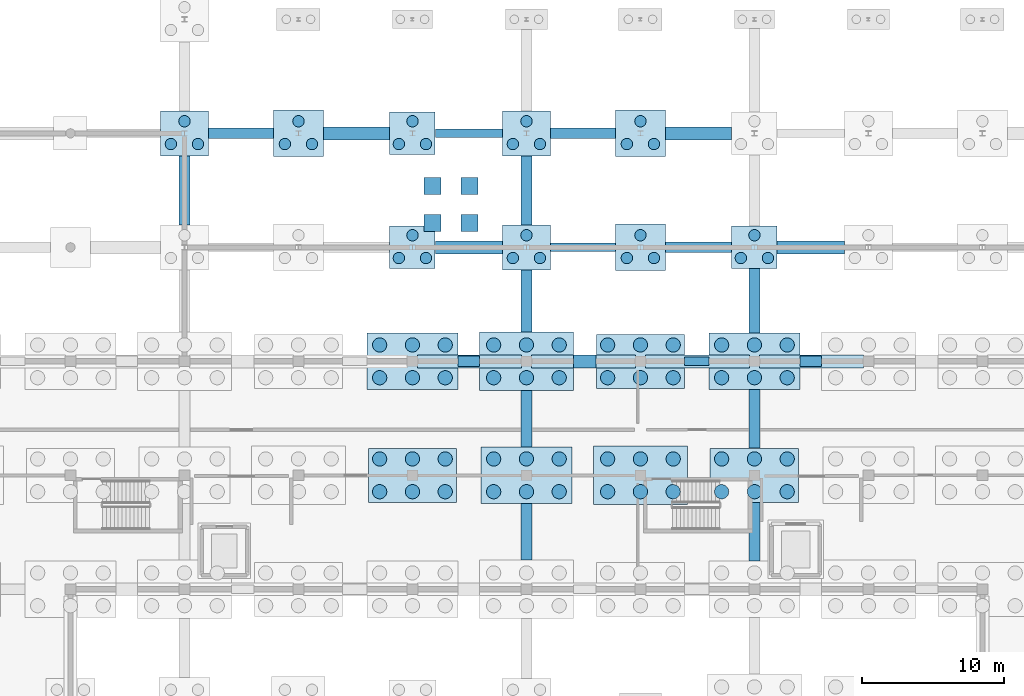
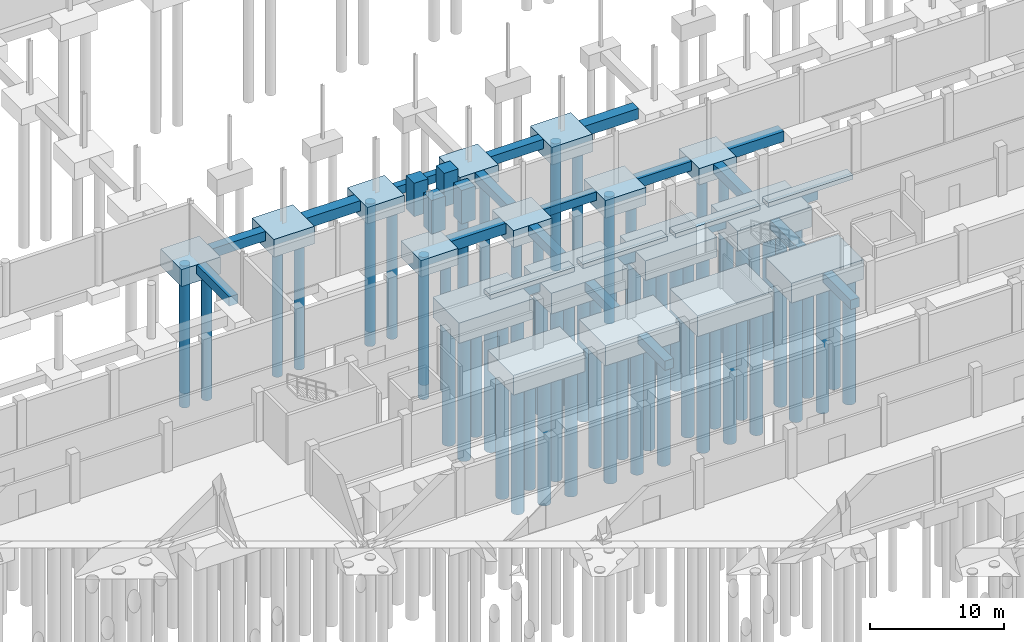
# One storey, part 9 of 51: 75 piles, 46 footings.
"""IFC4 building model written with IfcOpenShell, lengths in metres."""

from ifc_helpers import new_model, si_unit, direction, frame, origin, origin_2d, place, context, subcontext, project, spatial, rectangle, circle, extrude, material, material_profile, profile_set, type_object, element, save


model = new_model("IFC4")

# Units and contexts
model_context = context("Model", 3, precision=1e-05, world=origin(), true_north=direction((0.0, 1.0)))
body_context = subcontext(model_context, "Body", "Model", "MODEL_VIEW")
ifc_project = project(units=[si_unit("LENGTHUNIT", "METRE"), si_unit("AREAUNIT", "SQUARE_METRE"), si_unit("VOLUMEUNIT", "CUBIC_METRE"), si_unit("PLANEANGLEUNIT", "RADIAN"), si_unit("MASSUNIT", "GRAM", prefix="KILO")], contexts=[model_context])

# Site, building, storey
site_placement = place(None, origin())
site = spatial("IfcSite", under=ifc_project, at=site_placement, CompositionType="ELEMENT")
building_placement = place(site_placement, origin())
building = spatial("IfcBuilding", under=site, at=building_placement, Name="Jelvoka-Kovrelna Polytechnic", CompositionType="ELEMENT")
storey_placement = place(building_placement, frame((0.0, 0.0, -4.5)))
storey = spatial("IfcBuildingStorey", under=building, at=storey_placement, Name="B01", CompositionType="ELEMENT", Elevation=-4.5)

# Footings
ifc_material_1 = material(Name="Concrete C35/45", Category="concrete")
footing_type_1 = type_object("IfcFootingType", Name="Footing_Pad_PF1", PredefinedType="PAD_FOOTING", material=ifc_material_1)
for number, where, z_axis, x_axis, name in (
    (1, (105.39990234375, 81.699951171875, -0.40478515625), (0.0, 0.0, 1.0), (1.0, 0.0, 0.0), "Lift pit support pier 09"),
    (2, (108.0, 81.699951171875, -0.40478515625), (0.0, 0.0, 1.0), (1.0, 0.0, 0.0), "Lift pit support pier 10"),
    (3, (105.39990234375, 84.300048828125, -0.40478515625), (0.0, 0.0, 1.0), (1.0, 0.0, 0.0), "Lift pit support pier 11"),
    (4, (108.0, 84.300048828125, -0.40478515625), (0.0, 0.0, 1.0), (1.0, 0.0, 0.0), "Lift pit support pier 12"),
):
    element("IfcFooting", number, at=place(storey_placement, frame(where, z_axis=z_axis, x_axis=x_axis)), inside=storey, type_object=footing_type_1, Name=name, PredefinedType="PAD_FOOTING", context=body_context, shape_type="SweptSolid", body=[
        extrude(rectangle(XDim=1.199951171875, YDim=1.199951171875, at=origin_2d()), origin(), (0.0, 0.0, 1.0), 3.054931640625),
    ])
ifc_material_2 = material(Name="Concrete C35/45", Category="concrete")
footing_type_2 = type_object("IfcFootingType", Name="Footing_PileCap_PC3A", PredefinedType="PILE_CAP", material=ifc_material_2)
for number, where, z_axis, x_axis, name in (
    (5, (104.0, 80.0, -1.905029296875), (0.0, 0.0, 1.0), (1.0, 0.0, 0.0), "Bored pile cap 222 (PC-3)"),
    (6, (128.0, 80.0, -1.905029296875), (0.0, 0.0, 1.0), (1.0, 0.0, 0.0), "Bored pile cap 225 (PC-3)"),
    (7, (104.0, 88.0, -1.905029296875), (0.0, 0.0, 1.0), (1.0, 0.0, 0.0), "Bored pile cap 237 (PC-3)"),
):
    element("IfcFooting", number, at=place(storey_placement, frame(where, z_axis=z_axis, x_axis=x_axis)), inside=storey, type_object=footing_type_2, Name=name, PredefinedType="PILE_CAP", context=body_context, shape_type="SweptSolid", body=[
        extrude(rectangle(XDim=3.199951171875, YDim=3.0, at=origin_2d()), origin(), (0.0, 0.0, 1.0), 1.5),
    ])
ifc_material_3 = material(Name="Concrete C35/45", Category="concrete")
footing_type_3 = type_object("IfcFootingType", Name="Footing_PileCap_PC3B", PredefinedType="PILE_CAP", material=ifc_material_3)
for number, where, z_axis, x_axis, name in (
    (8, (112.0, 80.0, -1.955078125), (0.0, 0.0, 1.0), (1.0, 0.0, 0.0), "Bored pile cap 223 (PC-3)"),
    (9, (88.0, 88.0, -1.955078125), (0.0, 0.0, 1.0), (1.0, 0.0, 0.0), "Bored pile cap 235 (PC-3)"),
    (10, (112.0, 88.0, -1.955078125), (0.0, 0.0, 1.0), (1.0, 0.0, 0.0), "Bored pile cap 238 (PC-3)"),
):
    element("IfcFooting", number, at=place(storey_placement, frame(where, z_axis=z_axis, x_axis=x_axis)), inside=storey, type_object=footing_type_3, Name=name, PredefinedType="PILE_CAP", context=body_context, shape_type="SweptSolid", body=[
        extrude(rectangle(XDim=3.35009765625, YDim=3.14990234375, at=origin_2d()), origin(), (0.0, 0.0, 1.0), 1.550048828125),
    ])
ifc_material_4 = material(Name="Concrete C35/45", Category="concrete")
footing_type_4 = type_object("IfcFootingType", Name="Footing_PileCap_PC3C", PredefinedType="PILE_CAP", material=ifc_material_4)
for number, where, z_axis, x_axis, name in (
    (11, (120.0, 80.0, -2.005126953125), (0.0, 0.0, 1.0), (1.0, 0.0, 0.0), "Bored pile cap 224 (PC-3)"),
    (12, (96.0, 88.0, -2.005126953125), (0.0, 0.0, 1.0), (1.0, 0.0, 0.0), "Bored pile cap 236 (PC-3)"),
    (13, (120.0, 88.0, -2.005126953125), (0.0, 0.0, 1.0), (1.0, 0.0, 0.0), "Bored pile cap 239 (PC-3)"),
):
    element("IfcFooting", number, at=place(storey_placement, frame(where, z_axis=z_axis, x_axis=x_axis)), inside=storey, type_object=footing_type_4, Name=name, PredefinedType="PILE_CAP", context=body_context, shape_type="SweptSolid", body=[
        extrude(rectangle(XDim=3.5, YDim=3.25, at=origin_2d()), origin(), (0.0, 0.0, 1.0), 1.60009765625),
    ])
ifc_material_5 = material(Name="Concrete C35/45", Category="concrete")
footing_type_5 = type_object("IfcFootingType", Name="Footing_PileCap_PC6A", PredefinedType="PILE_CAP", material=ifc_material_5)
for number, where, z_axis, x_axis, name in (
    (14, (104.0, 64.0, -2.205078125), (0.0, 0.0, 1.0), (1.0, 0.0, 0.0), "Bored pile cap 189 (PC-6)"),
    (15, (128.0, 64.0, -2.205078125), (0.0, 0.0, 1.0), (1.0, 0.0, 0.0), "Bored pile cap 192 (PC-6)"),
    (16, (120.0, 72.0, -2.205078125), (0.0, 0.0, 1.0), (1.0, 0.0, 0.0), "Bored pile cap 210 (PC-6)"),
):
    element("IfcFooting", number, at=place(storey_placement, frame(where, z_axis=z_axis, x_axis=x_axis)), inside=storey, type_object=footing_type_5, Name=name, PredefinedType="PILE_CAP", context=body_context, shape_type="SweptSolid", body=[
        extrude(rectangle(XDim=6.199951171875, YDim=3.800048828125, at=origin_2d()), origin(), (0.0, 0.0, 1.0), 1.800048828125),
    ])
ifc_material_6 = material(Name="Concrete C35/45", Category="concrete")
footing_type_6 = type_object("IfcFootingType", Name="Footing_PileCap_PC6B", PredefinedType="PILE_CAP", material=ifc_material_6)
for number, where, z_axis, x_axis, name in (
    (17, (112.0, 64.0, -2.255126953125), (0.0, 0.0, 1.0), (1.0, 0.0, 0.0), "Bored pile cap 190 (PC-6)"),
    (18, (104.0, 72.0, -2.255126953125), (0.0, 0.0, 1.0), (1.0, 0.0, 0.0), "Bored pile cap 208 (PC-6)"),
    (19, (128.0, 72.0, -2.255126953125), (0.0, 0.0, 1.0), (1.0, 0.0, 0.0), "Bored pile cap 211 (PC-6)"),
):
    element("IfcFooting", number, at=place(storey_placement, frame(where, z_axis=z_axis, x_axis=x_axis)), inside=storey, type_object=footing_type_6, Name=name, PredefinedType="PILE_CAP", context=body_context, shape_type="SweptSolid", body=[
        extrude(rectangle(XDim=6.39990234375, YDim=3.949951171875, at=origin_2d()), origin(), (0.0, 0.0, 1.0), 1.85009765625),
    ])
ifc_material_7 = material(Name="Concrete C35/45", Category="concrete")
footing_type_7 = type_object("IfcFootingType", Name="Footing_PileCap_PC6C", PredefinedType="PILE_CAP", material=ifc_material_7)
for number, where, z_axis, x_axis, name in (
    (20, (120.0, 64.0, -2.304931640625), (0.0, 0.0, 1.0), (1.0, 0.0, 0.0), "Bored pile cap 191 (PC-6)"),
    (21, (112.0, 72.0, -2.304931640625), (0.0, 0.0, 1.0), (1.0, 0.0, 0.0), "Bored pile cap 209 (PC-6)"),
):
    element("IfcFooting", number, at=place(storey_placement, frame(where, z_axis=z_axis, x_axis=x_axis)), inside=storey, type_object=footing_type_7, Name=name, PredefinedType="PILE_CAP", context=body_context, shape_type="SweptSolid", body=[
        extrude(rectangle(XDim=6.60009765625, YDim=4.10009765625, at=origin_2d()), origin(), (0.0, 0.0, 1.0), 1.89990234375),
    ])
ifc_material_8 = material(Name="Concrete C35/45", Category="concrete")
footing_type_8 = type_object("IfcFootingType", Name="Footing_Strip_SF1", PredefinedType="STRIP_FOOTING", material=ifc_material_8)
footing_1_placement = place(storey_placement, frame((107.96240234375, 88.0, -1.155029296875), z_axis=(0.0, 0.0, 1.0), x_axis=(1.0, 0.0, 0.0)))
element("IfcFooting", 22, at=footing_1_placement, inside=storey, type_object=footing_type_8, Name="Strip foundation tie beam 120", PredefinedType="STRIP_FOOTING", context=body_context, shape_type="SweptSolid", body=[
    extrude(rectangle(XDim=4.720947265625, YDim=0.60009765625, at=origin_2d()), origin(), (0.0, 0.0, 1.0), 0.75),
])
footing_2_placement = place(storey_placement, frame((115.96240234375, 80.0, -1.155029296875), z_axis=(0.0, 0.0, 1.0), x_axis=(1.0, 0.0, 0.0)))
element("IfcFooting", 23, at=footing_2_placement, inside=storey, type_object=footing_type_8, Name="Strip foundation tie beam 138", PredefinedType="STRIP_FOOTING", context=body_context, shape_type="SweptSolid", body=[
    extrude(rectangle(XDim=4.571044921875, YDim=0.60009765625, at=origin_2d()), origin(), (0.0, 0.0, 1.0), 0.75),
])
footing_3_placement = place(storey_placement, frame((123.949951171875, 72.0, -1.155029296875), z_axis=(0.0, 0.0, 1.0), x_axis=(1.0, 0.0, 0.0)))
element("IfcFooting", 24, at=footing_3_placement, inside=storey, type_object=footing_type_8, Name="Strip foundation tie beam 148", PredefinedType="STRIP_FOOTING", context=body_context, shape_type="SweptSolid", body=[
    extrude(rectangle(XDim=1.696044921875, YDim=0.60009765625, at=origin_2d()), origin(), (0.0, 0.0, 1.0), 0.75),
])
ifc_material_9 = material(Name="Concrete C35/45", Category="concrete")
footing_type_9 = type_object("IfcFootingType", Name="Footing_Strip_SF2", PredefinedType="STRIP_FOOTING", material=ifc_material_9)
footing_4_placement = place(storey_placement, frame((88.0, 84.0, -1.255126953125), z_axis=(0.0, 0.0, 1.0), x_axis=(0.0, 1.0, 0.0)))
element("IfcFooting", 25, at=footing_4_placement, inside=storey, type_object=footing_type_9, Name="Strip foundation tie beam 097", PredefinedType="STRIP_FOOTING", context=body_context, shape_type="SweptSolid", body=[
    extrude(rectangle(XDim=4.845947265625, YDim=0.75, at=origin_2d()), origin(), (0.0, 0.0, 1.0), 0.85009765625),
])
footing_5_placement = place(storey_placement, frame((91.96240234375, 88.0, -1.255126953125), z_axis=(0.0, 0.0, 1.0), x_axis=(1.0, 0.0, 0.0)))
element("IfcFooting", 26, at=footing_5_placement, inside=storey, type_object=footing_type_9, Name="Strip foundation tie beam 098", PredefinedType="STRIP_FOOTING", context=body_context, shape_type="SweptSolid", body=[
    extrude(rectangle(XDim=4.571044921875, YDim=0.75, at=origin_2d()), origin(), (0.0, 0.0, 1.0), 0.85009765625),
])
footing_6_placement = place(storey_placement, frame((107.949951171875, 72.0, -1.255126953125), z_axis=(0.0, 0.0, 1.0), x_axis=(1.0, 0.0, 0.0)))
element("IfcFooting", 27, at=footing_6_placement, inside=storey, type_object=footing_type_9, Name="Strip foundation tie beam 118", PredefinedType="STRIP_FOOTING", context=body_context, shape_type="SweptSolid", body=[
    extrude(rectangle(XDim=1.49609375, YDim=0.75, at=origin_2d()), origin(), (0.0, 0.0, 1.0), 0.85009765625),
])
for number, where, z_axis, x_axis, name in (
    (28, (112.0, 60.03759765625, -1.255126953125), (0.0, 0.0, 1.0), (0.0, 1.0, 0.0), "Strip foundation tie beam 134"),
    (29, (112.0, 67.96240234375, -1.255126953125), (0.0, 0.0, 1.0), (0.0, 1.0, 0.0), "Strip foundation tie beam 135"),
):
    element("IfcFooting", number, at=place(storey_placement, frame(where, z_axis=z_axis, x_axis=x_axis)), inside=storey, type_object=footing_type_9, Name=name, PredefinedType="STRIP_FOOTING", context=body_context, shape_type="SweptSolid", body=[
        extrude(rectangle(XDim=3.970947265625, YDim=0.75, at=origin_2d()), origin(), (0.0, 0.0, 1.0), 0.85009765625),
    ])
footing_7_placement = place(storey_placement, frame((112.0, 76.237548828125, -1.255126953125), z_axis=(0.0, 0.0, 1.0), x_axis=(0.0, 1.0, 0.0)))
element("IfcFooting", 30, at=footing_7_placement, inside=storey, type_object=footing_type_9, Name="Strip foundation tie beam 137", PredefinedType="STRIP_FOOTING", context=body_context, shape_type="SweptSolid", body=[
    extrude(rectangle(XDim=4.37109375, YDim=0.75, at=origin_2d()), origin(), (0.0, 0.0, 1.0), 0.85009765625),
])
footing_8_placement = place(storey_placement, frame((112.0, 84.0, -1.255126953125), z_axis=(0.0, 0.0, 1.0), x_axis=(0.0, 1.0, 0.0)))
element("IfcFooting", 31, at=footing_8_placement, inside=storey, type_object=footing_type_9, Name="Strip foundation tie beam 139", PredefinedType="STRIP_FOOTING", context=body_context, shape_type="SweptSolid", body=[
    extrude(rectangle(XDim=4.845947265625, YDim=0.75, at=origin_2d()), origin(), (0.0, 0.0, 1.0), 0.85009765625),
])
footing_9_placement = place(storey_placement, frame((115.96240234375, 88.0, -1.255126953125), z_axis=(0.0, 0.0, 1.0), x_axis=(1.0, 0.0, 0.0)))
element("IfcFooting", 32, at=footing_9_placement, inside=storey, type_object=footing_type_9, Name="Strip foundation tie beam 140", PredefinedType="STRIP_FOOTING", context=body_context, shape_type="SweptSolid", body=[
    extrude(rectangle(XDim=4.571044921875, YDim=0.75, at=origin_2d()), origin(), (0.0, 0.0, 1.0), 0.85009765625),
])
footing_10_placement = place(storey_placement, frame((124.074951171875, 80.0, -1.255126953125), z_axis=(0.0, 0.0, 1.0), x_axis=(1.0, 0.0, 0.0)))
element("IfcFooting", 33, at=footing_10_placement, inside=storey, type_object=footing_type_9, Name="Strip foundation tie beam 149", PredefinedType="STRIP_FOOTING", context=body_context, shape_type="SweptSolid", body=[
    extrude(rectangle(XDim=4.64599609375, YDim=0.75, at=origin_2d()), origin(), (0.0, 0.0, 1.0), 0.85009765625),
])
for number, where, z_axis, x_axis, name in (
    (34, (128.0, 60.03759765625, -1.255126953125), (0.0, 0.0, 1.0), (0.0, 1.0, 0.0), "Strip foundation tie beam 164"),
    (35, (128.0, 67.96240234375, -1.255126953125), (0.0, 0.0, 1.0), (0.0, 1.0, 0.0), "Strip foundation tie beam 165"),
):
    element("IfcFooting", number, at=place(storey_placement, frame(where, z_axis=z_axis, x_axis=x_axis)), inside=storey, type_object=footing_type_9, Name=name, PredefinedType="STRIP_FOOTING", context=body_context, shape_type="SweptSolid", body=[
        extrude(rectangle(XDim=4.12109375, YDim=0.75, at=origin_2d()), origin(), (0.0, 0.0, 1.0), 0.85009765625),
    ])
footing_11_placement = place(storey_placement, frame((131.949951171875, 72.0, -1.255126953125), z_axis=(0.0, 0.0, 1.0), x_axis=(1.0, 0.0, 0.0)))
element("IfcFooting", 36, at=footing_11_placement, inside=storey, type_object=footing_type_9, Name="Strip foundation tie beam 166", PredefinedType="STRIP_FOOTING", context=body_context, shape_type="SweptSolid", body=[
    extrude(rectangle(XDim=1.49609375, YDim=0.75, at=origin_2d()), origin(), (0.0, 0.0, 1.0), 0.85009765625),
])
footing_12_placement = place(storey_placement, frame((128.0, 76.237548828125, -1.255126953125), z_axis=(0.0, 0.0, 1.0), x_axis=(0.0, 1.0, 0.0)))
element("IfcFooting", 37, at=footing_12_placement, inside=storey, type_object=footing_type_9, Name="Strip foundation tie beam 167", PredefinedType="STRIP_FOOTING", context=body_context, shape_type="SweptSolid", body=[
    extrude(rectangle(XDim=4.52099609375, YDim=0.75, at=origin_2d()), origin(), (0.0, 0.0, 1.0), 0.85009765625),
])
ifc_material_10 = material(Name="Concrete C35/45", Category="concrete")
footing_type_10 = type_object("IfcFootingType", Name="Footing_Strip_SF3", PredefinedType="STRIP_FOOTING", material=ifc_material_10)
footing_13_placement = place(storey_placement, frame((100.074951171875, 88.0, -1.35498046875), z_axis=(0.0, 0.0, 1.0), x_axis=(1.0, 0.0, 0.0)))
element("IfcFooting", 38, at=footing_13_placement, inside=storey, type_object=footing_type_10, Name="Strip foundation tie beam 111", PredefinedType="STRIP_FOOTING", context=body_context, shape_type="SweptSolid", body=[
    extrude(rectangle(XDim=4.64599609375, YDim=0.89990234375, at=origin_2d()), origin(), (0.0, 0.0, 1.0), 0.949951171875),
])
footing_14_placement = place(storey_placement, frame((107.96240234375, 80.0, -1.35498046875), z_axis=(0.0, 0.0, 1.0), x_axis=(1.0, 0.0, 0.0)))
element("IfcFooting", 39, at=footing_14_placement, inside=storey, type_object=footing_type_10, Name="Strip foundation tie beam 119", PredefinedType="STRIP_FOOTING", context=body_context, shape_type="SweptSolid", body=[
    extrude(rectangle(XDim=4.720947265625, YDim=0.89990234375, at=origin_2d()), origin(), (0.0, 0.0, 1.0), 0.949951171875),
])
footing_15_placement = place(storey_placement, frame((116.10009765625, 72.0, -1.35498046875), z_axis=(0.0, 0.0, 1.0), x_axis=(1.0, 0.0, 0.0)))
element("IfcFooting", 40, at=footing_15_placement, inside=storey, type_object=footing_type_10, Name="Strip foundation tie beam 136", PredefinedType="STRIP_FOOTING", context=body_context, shape_type="SweptSolid", body=[
    extrude(rectangle(XDim=1.595947265625, YDim=0.89990234375, at=origin_2d()), origin(), (0.0, 0.0, 1.0), 0.949951171875),
])
footing_16_placement = place(storey_placement, frame((124.074951171875, 88.0, -1.35498046875), z_axis=(0.0, 0.0, 1.0), x_axis=(1.0, 0.0, 0.0)))
element("IfcFooting", 41, at=footing_16_placement, inside=storey, type_object=footing_type_10, Name="Strip foundation tie beam 150", PredefinedType="STRIP_FOOTING", context=body_context, shape_type="SweptSolid", body=[
    extrude(rectangle(XDim=4.64599609375, YDim=0.89990234375, at=origin_2d()), origin(), (0.0, 0.0, 1.0), 0.949951171875),
])
footing_17_placement = place(storey_placement, frame((131.96240234375, 80.0, -1.35498046875), z_axis=(0.0, 0.0, 1.0), x_axis=(1.0, 0.0, 0.0)))
element("IfcFooting", 42, at=footing_17_placement, inside=storey, type_object=footing_type_10, Name="Strip foundation tie beam 168", PredefinedType="STRIP_FOOTING", context=body_context, shape_type="SweptSolid", body=[
    extrude(rectangle(XDim=4.720947265625, YDim=0.89990234375, at=origin_2d()), origin(), (0.0, 0.0, 1.0), 0.949951171875),
])
for number, where, z_axis, x_axis, name in (
    (43, (108.0, 72.0, -0.40478515625), (0.0, 0.0, 1.0), (1.0, 0.0, 0.0), "Strip foundation plinth beam B01W-083"),
    (44, (116.0, 72.0, -0.40478515625), (0.0, 0.0, 1.0), (1.0, 0.0, 0.0), "Strip foundation plinth beam B01W-085"),
    (45, (124.0, 72.0, -0.40478515625), (0.0, 0.0, 1.0), (1.0, 0.0, 0.0), "Strip foundation plinth beam B01W-087"),
    (46, (132.0, 72.0, -0.40478515625), (0.0, 0.0, 1.0), (1.0, 0.0, 0.0), "Strip foundation plinth beam B01W-089"),
):
    element("IfcFooting", number, at=place(storey_placement, frame(where, z_axis=z_axis, x_axis=x_axis)), inside=storey, type_object=footing_type_10, Name=name, PredefinedType="STRIP_FOOTING", context=body_context, shape_type="SweptSolid", body=[
        extrude(rectangle(XDim=7.300048828125, YDim=0.89990234375, at=origin_2d()), origin(), (0.0, 0.0, 1.0), 0.405029296875),
    ])

# Piles
ifc_material_11 = material(Name="Concrete C35/45", Category="concrete")
ifc_material_profile_1 = material_profile(ifc_material_11, circle(Radius=0.5, at=origin_2d()), Name="PILE D1000")
ifc_profile_set_1 = profile_set([ifc_material_profile_1], Name="Concrete C35/45")
pile_type_1 = type_object("IfcPileType", Name="Pile_Bored_1000", PredefinedType="BORED", material=ifc_profile_set_1)
for number, where, z_axis, x_axis, name in (
    (47, (101.699951171875, 62.85009765625, -2.10498046875), (0.0, 0.0, -1.0), (1.0, 0.0, 0.0), "Bored concrete pile 189-1"),
    (48, (104.0, 62.85009765625, -2.10498046875), (0.0, 0.0, -1.0), (1.0, 0.0, 0.0), "Bored concrete pile 189-2"),
    (49, (106.300048828125, 62.85009765625, -2.10498046875), (0.0, 0.0, -1.0), (1.0, 0.0, 0.0), "Bored concrete pile 189-3"),
    (50, (101.699951171875, 65.14990234375, -2.10498046875), (0.0, 0.0, -1.0), (1.0, 0.0, 0.0), "Bored concrete pile 189-4"),
    (51, (104.0, 65.14990234375, -2.10498046875), (0.0, 0.0, -1.0), (1.0, 0.0, 0.0), "Bored concrete pile 189-5"),
    (52, (106.300048828125, 65.14990234375, -2.10498046875), (0.0, 0.0, -1.0), (1.0, 0.0, 0.0), "Bored concrete pile 189-6"),
):
    element("IfcPile", number, at=place(storey_placement, frame(where, z_axis=z_axis, x_axis=x_axis)), inside=storey, type_object=pile_type_1, Name=name, PredefinedType="BORED", context=body_context, shape_type="SweptSolid", body=[
        extrude(circle(Radius=0.5, at=origin_2d()), origin(), (0.0, 0.0, 1.0), 11.39501953125),
    ])
for number, where, z_axis, x_axis, name in (
    (53, (109.699951171875, 62.85009765625, -2.155029296875), (0.0, 0.0, -1.0), (1.0, 0.0, 0.0), "Bored concrete pile 190-1"),
    (54, (112.0, 62.85009765625, -2.155029296875), (0.0, 0.0, -1.0), (1.0, 0.0, 0.0), "Bored concrete pile 190-2"),
    (55, (114.300048828125, 62.85009765625, -2.155029296875), (0.0, 0.0, -1.0), (1.0, 0.0, 0.0), "Bored concrete pile 190-3"),
    (56, (109.699951171875, 65.14990234375, -2.155029296875), (0.0, 0.0, -1.0), (1.0, 0.0, 0.0), "Bored concrete pile 190-4"),
    (57, (112.0, 65.14990234375, -2.155029296875), (0.0, 0.0, -1.0), (1.0, 0.0, 0.0), "Bored concrete pile 190-5"),
    (58, (114.300048828125, 65.14990234375, -2.155029296875), (0.0, 0.0, -1.0), (1.0, 0.0, 0.0), "Bored concrete pile 190-6"),
):
    element("IfcPile", number, at=place(storey_placement, frame(where, z_axis=z_axis, x_axis=x_axis)), inside=storey, type_object=pile_type_1, Name=name, PredefinedType="BORED", context=body_context, shape_type="SweptSolid", body=[
        extrude(circle(Radius=0.5, at=origin_2d()), origin(), (0.0, 0.0, 1.0), 11.344970703125),
    ])
for number, where, z_axis, x_axis, name in (
    (59, (117.699951171875, 62.85009765625, -2.205078125), (0.0, 0.0, -1.0), (1.0, 0.0, 0.0), "Bored concrete pile 191-1"),
    (60, (120.0, 62.85009765625, -2.205078125), (0.0, 0.0, -1.0), (1.0, 0.0, 0.0), "Bored concrete pile 191-2"),
    (61, (122.300048828125, 62.85009765625, -2.205078125), (0.0, 0.0, -1.0), (1.0, 0.0, 0.0), "Bored concrete pile 191-3"),
    (62, (117.699951171875, 65.14990234375, -2.205078125), (0.0, 0.0, -1.0), (1.0, 0.0, 0.0), "Bored concrete pile 191-4"),
    (63, (120.0, 65.14990234375, -2.205078125), (0.0, 0.0, -1.0), (1.0, 0.0, 0.0), "Bored concrete pile 191-5"),
    (64, (122.300048828125, 65.14990234375, -2.205078125), (0.0, 0.0, -1.0), (1.0, 0.0, 0.0), "Bored concrete pile 191-6"),
):
    element("IfcPile", number, at=place(storey_placement, frame(where, z_axis=z_axis, x_axis=x_axis)), inside=storey, type_object=pile_type_1, Name=name, PredefinedType="BORED", context=body_context, shape_type="SweptSolid", body=[
        extrude(circle(Radius=0.5, at=origin_2d()), origin(), (0.0, 0.0, 1.0), 11.294921875),
    ])
for number, where, z_axis, x_axis, name in (
    (65, (125.699951171875, 62.85009765625, -2.10498046875), (0.0, 0.0, -1.0), (1.0, 0.0, 0.0), "Bored concrete pile 192-1"),
    (66, (128.0, 62.85009765625, -2.10498046875), (0.0, 0.0, -1.0), (1.0, 0.0, 0.0), "Bored concrete pile 192-2"),
    (67, (130.300048828125, 62.85009765625, -2.10498046875), (0.0, 0.0, -1.0), (1.0, 0.0, 0.0), "Bored concrete pile 192-3"),
    (68, (125.699951171875, 65.14990234375, -2.10498046875), (0.0, 0.0, -1.0), (1.0, 0.0, 0.0), "Bored concrete pile 192-4"),
    (69, (128.0, 65.14990234375, -2.10498046875), (0.0, 0.0, -1.0), (1.0, 0.0, 0.0), "Bored concrete pile 192-5"),
    (70, (130.300048828125, 65.14990234375, -2.10498046875), (0.0, 0.0, -1.0), (1.0, 0.0, 0.0), "Bored concrete pile 192-6"),
):
    element("IfcPile", number, at=place(storey_placement, frame(where, z_axis=z_axis, x_axis=x_axis)), inside=storey, type_object=pile_type_1, Name=name, PredefinedType="BORED", context=body_context, shape_type="SweptSolid", body=[
        extrude(circle(Radius=0.5, at=origin_2d()), origin(), (0.0, 0.0, 1.0), 11.39501953125),
    ])
for number, where, z_axis, x_axis, name in (
    (71, (101.699951171875, 70.85009765625, -2.155029296875), (0.0, 0.0, -1.0), (1.0, 0.0, 0.0), "Bored concrete pile 208-1"),
    (72, (104.0, 70.85009765625, -2.155029296875), (0.0, 0.0, -1.0), (1.0, 0.0, 0.0), "Bored concrete pile 208-2"),
    (73, (106.300048828125, 70.85009765625, -2.155029296875), (0.0, 0.0, -1.0), (1.0, 0.0, 0.0), "Bored concrete pile 208-3"),
    (74, (101.699951171875, 73.14990234375, -2.155029296875), (0.0, 0.0, -1.0), (1.0, 0.0, 0.0), "Bored concrete pile 208-4"),
    (75, (104.0, 73.14990234375, -2.155029296875), (0.0, 0.0, -1.0), (1.0, 0.0, 0.0), "Bored concrete pile 208-5"),
    (76, (106.300048828125, 73.14990234375, -2.155029296875), (0.0, 0.0, -1.0), (1.0, 0.0, 0.0), "Bored concrete pile 208-6"),
):
    element("IfcPile", number, at=place(storey_placement, frame(where, z_axis=z_axis, x_axis=x_axis)), inside=storey, type_object=pile_type_1, Name=name, PredefinedType="BORED", context=body_context, shape_type="SweptSolid", body=[
        extrude(circle(Radius=0.5, at=origin_2d()), origin(), (0.0, 0.0, 1.0), 11.344970703125),
    ])
for number, where, z_axis, x_axis, name in (
    (77, (109.699951171875, 70.85009765625, -2.205078125), (0.0, 0.0, -1.0), (1.0, 0.0, 0.0), "Bored concrete pile 209-1"),
    (78, (112.0, 70.85009765625, -2.205078125), (0.0, 0.0, -1.0), (1.0, 0.0, 0.0), "Bored concrete pile 209-2"),
    (79, (114.300048828125, 70.85009765625, -2.205078125), (0.0, 0.0, -1.0), (1.0, 0.0, 0.0), "Bored concrete pile 209-3"),
    (80, (109.699951171875, 73.14990234375, -2.205078125), (0.0, 0.0, -1.0), (1.0, 0.0, 0.0), "Bored concrete pile 209-4"),
    (81, (112.0, 73.14990234375, -2.205078125), (0.0, 0.0, -1.0), (1.0, 0.0, 0.0), "Bored concrete pile 209-5"),
    (82, (114.300048828125, 73.14990234375, -2.205078125), (0.0, 0.0, -1.0), (1.0, 0.0, 0.0), "Bored concrete pile 209-6"),
):
    element("IfcPile", number, at=place(storey_placement, frame(where, z_axis=z_axis, x_axis=x_axis)), inside=storey, type_object=pile_type_1, Name=name, PredefinedType="BORED", context=body_context, shape_type="SweptSolid", body=[
        extrude(circle(Radius=0.5, at=origin_2d()), origin(), (0.0, 0.0, 1.0), 11.294921875),
    ])
for number, where, z_axis, x_axis, name in (
    (83, (117.699951171875, 70.85009765625, -2.10498046875), (0.0, 0.0, -1.0), (1.0, 0.0, 0.0), "Bored concrete pile 210-1"),
    (84, (120.0, 70.85009765625, -2.10498046875), (0.0, 0.0, -1.0), (1.0, 0.0, 0.0), "Bored concrete pile 210-2"),
    (85, (122.300048828125, 70.85009765625, -2.10498046875), (0.0, 0.0, -1.0), (1.0, 0.0, 0.0), "Bored concrete pile 210-3"),
    (86, (117.699951171875, 73.14990234375, -2.10498046875), (0.0, 0.0, -1.0), (1.0, 0.0, 0.0), "Bored concrete pile 210-4"),
    (87, (120.0, 73.14990234375, -2.10498046875), (0.0, 0.0, -1.0), (1.0, 0.0, 0.0), "Bored concrete pile 210-5"),
    (88, (122.300048828125, 73.14990234375, -2.10498046875), (0.0, 0.0, -1.0), (1.0, 0.0, 0.0), "Bored concrete pile 210-6"),
):
    element("IfcPile", number, at=place(storey_placement, frame(where, z_axis=z_axis, x_axis=x_axis)), inside=storey, type_object=pile_type_1, Name=name, PredefinedType="BORED", context=body_context, shape_type="SweptSolid", body=[
        extrude(circle(Radius=0.5, at=origin_2d()), origin(), (0.0, 0.0, 1.0), 11.39501953125),
    ])
for number, where, z_axis, x_axis, name in (
    (89, (125.699951171875, 70.85009765625, -2.155029296875), (0.0, 0.0, -1.0), (1.0, 0.0, 0.0), "Bored concrete pile 211-1"),
    (90, (128.0, 70.85009765625, -2.155029296875), (0.0, 0.0, -1.0), (1.0, 0.0, 0.0), "Bored concrete pile 211-2"),
    (91, (130.300048828125, 70.85009765625, -2.155029296875), (0.0, 0.0, -1.0), (1.0, 0.0, 0.0), "Bored concrete pile 211-3"),
    (92, (125.699951171875, 73.14990234375, -2.155029296875), (0.0, 0.0, -1.0), (1.0, 0.0, 0.0), "Bored concrete pile 211-4"),
    (93, (128.0, 73.14990234375, -2.155029296875), (0.0, 0.0, -1.0), (1.0, 0.0, 0.0), "Bored concrete pile 211-5"),
    (94, (130.300048828125, 73.14990234375, -2.155029296875), (0.0, 0.0, -1.0), (1.0, 0.0, 0.0), "Bored concrete pile 211-6"),
):
    element("IfcPile", number, at=place(storey_placement, frame(where, z_axis=z_axis, x_axis=x_axis)), inside=storey, type_object=pile_type_1, Name=name, PredefinedType="BORED", context=body_context, shape_type="SweptSolid", body=[
        extrude(circle(Radius=0.5, at=origin_2d()), origin(), (0.0, 0.0, 1.0), 11.344970703125),
    ])
ifc_material_12 = material(Name="Concrete C35/45", Category="concrete")
ifc_material_profile_2 = material_profile(ifc_material_12, circle(Radius=0.39990234375, at=origin_2d()), Name="PILE D800")
ifc_profile_set_2 = profile_set([ifc_material_profile_2], Name="Concrete C35/45")
pile_type_2 = type_object("IfcPileType", Name="Pile_Bored_800", PredefinedType="BORED", material=ifc_profile_set_2)
for number, where, z_axis, x_axis, name in (
    (95, (103.050048828125, 79.25, -1.804931640625), (0.0, 0.0, -1.0), (1.0, 0.0, 0.0), "Bored concrete pile 222-1"),
    (96, (104.949951171875, 79.25, -1.804931640625), (0.0, 0.0, -1.0), (1.0, 0.0, 0.0), "Bored concrete pile 222-2"),
    (97, (104.0, 80.85009765625, -1.804931640625), (0.0, 0.0, -1.0), (1.0, 0.0, 0.0), "Bored concrete pile 222-3"),
):
    element("IfcPile", number, at=place(storey_placement, frame(where, z_axis=z_axis, x_axis=x_axis)), inside=storey, type_object=pile_type_2, Name=name, PredefinedType="BORED", context=body_context, shape_type="SweptSolid", body=[
        extrude(circle(Radius=0.39990234375, at=origin_2d()), origin(), (0.0, 0.0, 1.0), 11.695068359375),
    ])
for number, where, z_axis, x_axis, name in (
    (98, (111.050048828125, 79.25, -1.85498046875), (0.0, 0.0, -1.0), (1.0, 0.0, 0.0), "Bored concrete pile 223-1"),
    (99, (112.949951171875, 79.25, -1.85498046875), (0.0, 0.0, -1.0), (1.0, 0.0, 0.0), "Bored concrete pile 223-2"),
    (100, (112.0, 80.85009765625, -1.85498046875), (0.0, 0.0, -1.0), (1.0, 0.0, 0.0), "Bored concrete pile 223-3"),
):
    element("IfcPile", number, at=place(storey_placement, frame(where, z_axis=z_axis, x_axis=x_axis)), inside=storey, type_object=pile_type_2, Name=name, PredefinedType="BORED", context=body_context, shape_type="SweptSolid", body=[
        extrude(circle(Radius=0.39990234375, at=origin_2d()), origin(), (0.0, 0.0, 1.0), 11.64501953125),
    ])
for number, where, z_axis, x_axis, name in (
    (101, (119.050048828125, 79.25, -1.905029296875), (0.0, 0.0, -1.0), (1.0, 0.0, 0.0), "Bored concrete pile 224-1"),
    (102, (120.949951171875, 79.25, -1.905029296875), (0.0, 0.0, -1.0), (1.0, 0.0, 0.0), "Bored concrete pile 224-2"),
    (103, (120.0, 80.85009765625, -1.905029296875), (0.0, 0.0, -1.0), (1.0, 0.0, 0.0), "Bored concrete pile 224-3"),
):
    element("IfcPile", number, at=place(storey_placement, frame(where, z_axis=z_axis, x_axis=x_axis)), inside=storey, type_object=pile_type_2, Name=name, PredefinedType="BORED", context=body_context, shape_type="SweptSolid", body=[
        extrude(circle(Radius=0.39990234375, at=origin_2d()), origin(), (0.0, 0.0, 1.0), 11.594970703125),
    ])
for number, where, z_axis, x_axis, name in (
    (104, (127.050048828125, 79.25, -1.804931640625), (0.0, 0.0, -1.0), (1.0, 0.0, 0.0), "Bored concrete pile 225-1"),
    (105, (128.949951171875, 79.25, -1.804931640625), (0.0, 0.0, -1.0), (1.0, 0.0, 0.0), "Bored concrete pile 225-2"),
    (106, (128.0, 80.85009765625, -1.804931640625), (0.0, 0.0, -1.0), (1.0, 0.0, 0.0), "Bored concrete pile 225-3"),
):
    element("IfcPile", number, at=place(storey_placement, frame(where, z_axis=z_axis, x_axis=x_axis)), inside=storey, type_object=pile_type_2, Name=name, PredefinedType="BORED", context=body_context, shape_type="SweptSolid", body=[
        extrude(circle(Radius=0.39990234375, at=origin_2d()), origin(), (0.0, 0.0, 1.0), 11.695068359375),
    ])
for number, where, z_axis, x_axis, name in (
    (107, (87.050048828125, 87.25, -1.85498046875), (0.0, 0.0, -1.0), (1.0, 0.0, 0.0), "Bored concrete pile 235-1"),
    (108, (88.949951171875, 87.25, -1.85498046875), (0.0, 0.0, -1.0), (1.0, 0.0, 0.0), "Bored concrete pile 235-2"),
    (109, (88.0, 88.85009765625, -1.85498046875), (0.0, 0.0, -1.0), (1.0, 0.0, 0.0), "Bored concrete pile 235-3"),
):
    element("IfcPile", number, at=place(storey_placement, frame(where, z_axis=z_axis, x_axis=x_axis)), inside=storey, type_object=pile_type_2, Name=name, PredefinedType="BORED", context=body_context, shape_type="SweptSolid", body=[
        extrude(circle(Radius=0.39990234375, at=origin_2d()), origin(), (0.0, 0.0, 1.0), 11.64501953125),
    ])
for number, where, z_axis, x_axis, name in (
    (110, (95.050048828125, 87.25, -1.905029296875), (0.0, 0.0, -1.0), (1.0, 0.0, 0.0), "Bored concrete pile 236-1"),
    (111, (96.949951171875, 87.25, -1.905029296875), (0.0, 0.0, -1.0), (1.0, 0.0, 0.0), "Bored concrete pile 236-2"),
    (112, (96.0, 88.85009765625, -1.905029296875), (0.0, 0.0, -1.0), (1.0, 0.0, 0.0), "Bored concrete pile 236-3"),
):
    element("IfcPile", number, at=place(storey_placement, frame(where, z_axis=z_axis, x_axis=x_axis)), inside=storey, type_object=pile_type_2, Name=name, PredefinedType="BORED", context=body_context, shape_type="SweptSolid", body=[
        extrude(circle(Radius=0.39990234375, at=origin_2d()), origin(), (0.0, 0.0, 1.0), 11.594970703125),
    ])
for number, where, z_axis, x_axis, name in (
    (113, (103.050048828125, 87.25, -1.804931640625), (0.0, 0.0, -1.0), (1.0, 0.0, 0.0), "Bored concrete pile 237-1"),
    (114, (104.949951171875, 87.25, -1.804931640625), (0.0, 0.0, -1.0), (1.0, 0.0, 0.0), "Bored concrete pile 237-2"),
    (115, (104.0, 88.85009765625, -1.804931640625), (0.0, 0.0, -1.0), (1.0, 0.0, 0.0), "Bored concrete pile 237-3"),
):
    element("IfcPile", number, at=place(storey_placement, frame(where, z_axis=z_axis, x_axis=x_axis)), inside=storey, type_object=pile_type_2, Name=name, PredefinedType="BORED", context=body_context, shape_type="SweptSolid", body=[
        extrude(circle(Radius=0.39990234375, at=origin_2d()), origin(), (0.0, 0.0, 1.0), 11.695068359375),
    ])
for number, where, z_axis, x_axis, name in (
    (116, (111.050048828125, 87.25, -1.85498046875), (0.0, 0.0, -1.0), (1.0, 0.0, 0.0), "Bored concrete pile 238-1"),
    (117, (112.949951171875, 87.25, -1.85498046875), (0.0, 0.0, -1.0), (1.0, 0.0, 0.0), "Bored concrete pile 238-2"),
    (118, (112.0, 88.85009765625, -1.85498046875), (0.0, 0.0, -1.0), (1.0, 0.0, 0.0), "Bored concrete pile 238-3"),
):
    element("IfcPile", number, at=place(storey_placement, frame(where, z_axis=z_axis, x_axis=x_axis)), inside=storey, type_object=pile_type_2, Name=name, PredefinedType="BORED", context=body_context, shape_type="SweptSolid", body=[
        extrude(circle(Radius=0.39990234375, at=origin_2d()), origin(), (0.0, 0.0, 1.0), 11.64501953125),
    ])
for number, where, z_axis, x_axis, name in (
    (119, (119.050048828125, 87.25, -1.905029296875), (0.0, 0.0, -1.0), (1.0, 0.0, 0.0), "Bored concrete pile 239-1"),
    (120, (120.949951171875, 87.25, -1.905029296875), (0.0, 0.0, -1.0), (1.0, 0.0, 0.0), "Bored concrete pile 239-2"),
    (121, (120.0, 88.85009765625, -1.905029296875), (0.0, 0.0, -1.0), (1.0, 0.0, 0.0), "Bored concrete pile 239-3"),
):
    element("IfcPile", number, at=place(storey_placement, frame(where, z_axis=z_axis, x_axis=x_axis)), inside=storey, type_object=pile_type_2, Name=name, PredefinedType="BORED", context=body_context, shape_type="SweptSolid", body=[
        extrude(circle(Radius=0.39990234375, at=origin_2d()), origin(), (0.0, 0.0, 1.0), 11.594970703125),
    ])

save(model, "model.ifc")
